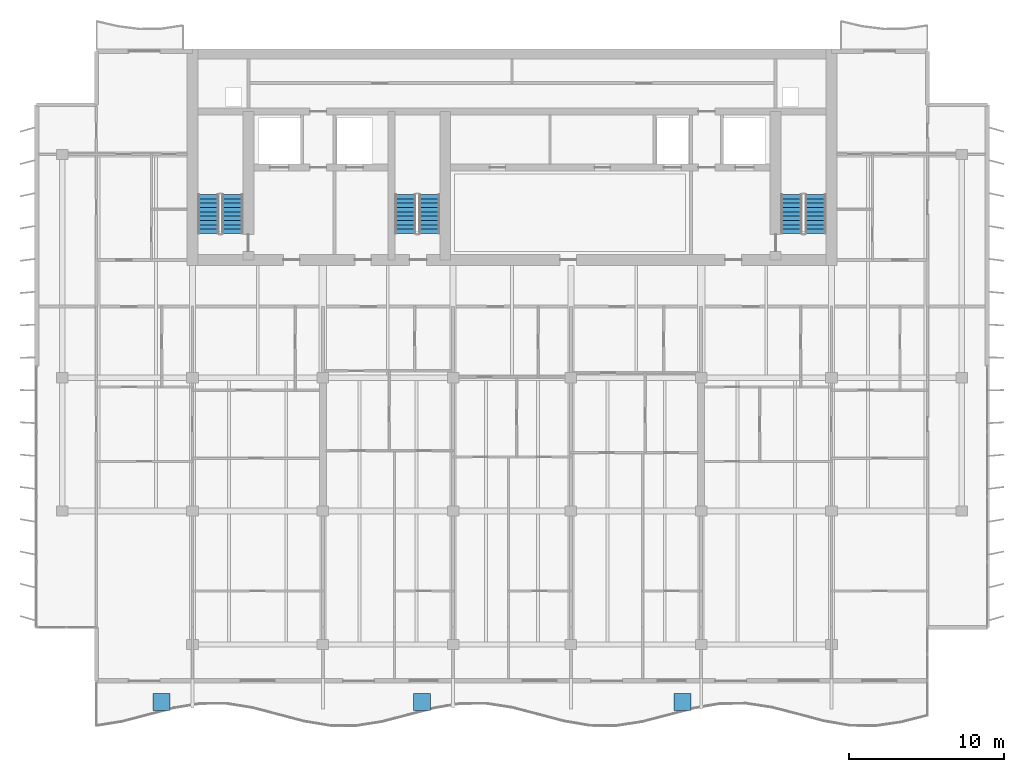
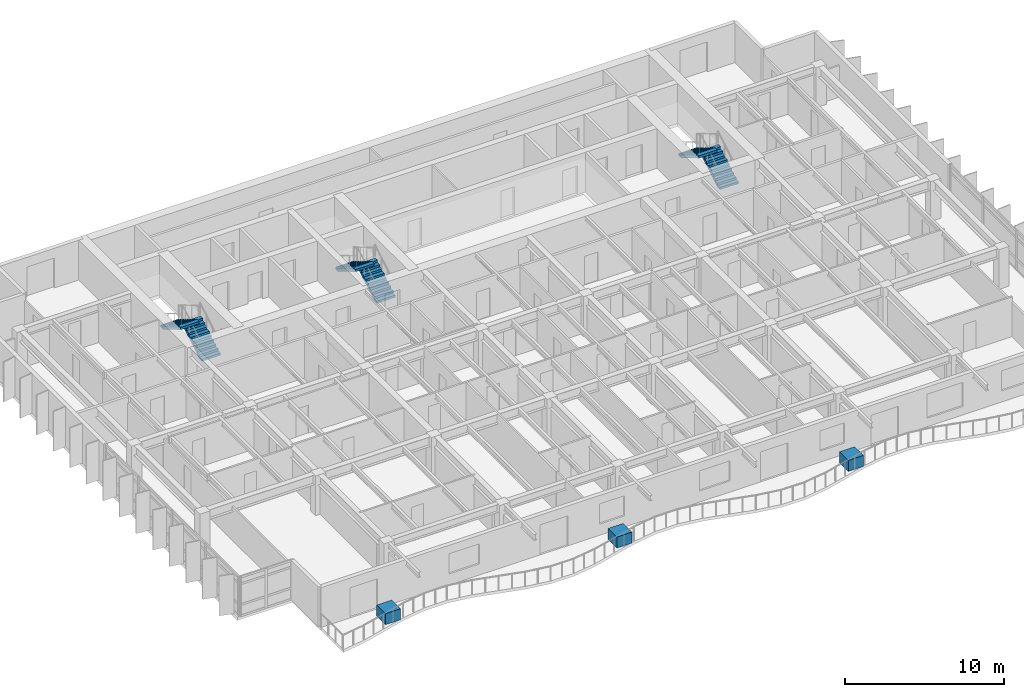
# One storey, part 11 of 17: 6 stair flights, 3 discrete accessories, 3 elements without a shape of their own.
"""IFC4 building model written with IfcOpenShell, lengths in metres."""

from ifc_helpers import new_model, si_unit, direction, frame, origin, origin_2d, place, context, subcontext, project, spatial, polyline, rectangle, outline, extrude, material, type_object, element, aggregate, save


model = new_model("IFC4")

# Units and contexts
model_context = context("Model", 3, precision=1e-05, world=origin(), true_north=direction((0.0, 1.0)))
body_context = subcontext(model_context, "Body", "Model", "MODEL_VIEW")
ifc_project = project(units=[si_unit("LENGTHUNIT", "METRE"), si_unit("AREAUNIT", "SQUARE_METRE"), si_unit("VOLUMEUNIT", "CUBIC_METRE"), si_unit("PLANEANGLEUNIT", "RADIAN"), si_unit("MASSUNIT", "GRAM", prefix="KILO")], contexts=[model_context])

# Site, building, storey
site_placement = place(None, origin())
site = spatial("IfcSite", under=ifc_project, at=site_placement, CompositionType="ELEMENT")
building_placement = place(site_placement, origin())
building = spatial("IfcBuilding", under=site, at=building_placement, Name="Caelmar Bay Residences", CompositionType="ELEMENT")
storey_placement = place(building_placement, frame((0.0, 0.0, 236.39990234375)))
storey = spatial("IfcBuildingStorey", under=building, at=storey_placement, Name="L66", CompositionType="ELEMENT", Elevation=236.39990234375)

# Stair, stair flights
ifc_material_1 = material(Name="Concrete f'c 40 MPa (6,000 psi)", Category="concrete")
stair_type = type_object("IfcStairType", Name="ST-TYP-165", PredefinedType="HALF_TURN_STAIR", material=ifc_material_1)
stair_1_placement = place(storey_placement, origin())
stair_1 = element("IfcStair", 1, at=stair_1_placement, inside=storey, type_object=stair_type, Name="L66 West Smokeproof Exit Stair ST1", PredefinedType="HALF_TURN_STAIR")
stair_flight_type = type_object("IfcStairFlightType", Name="STF-1350", PredefinedType="STRAIGHT", material=ifc_material_1)
stair_flight_1_placement = place(storey_placement, frame((20.875, 38.699951171875, 0.0), z_axis=(0.0, 0.0, 1.0), x_axis=(0.0, 1.0, 0.0)))
stair_flight_1 = element("IfcStairFlight", 2, at=stair_flight_1_placement, type_object=stair_flight_type, Name="ST1 flight 1", NumberOfRisers=10, NumberOfTreads=9, PredefinedType="STRAIGHT", RiserHeight=0.165, TreadLength=0.28, context=body_context, shape_type="SweptSolid", body=[
    extrude(outline(polyline([(0.0, 0.0), (0.0, 0.1650390625), (0.280029296875, 0.1650390625), (0.280029296875, 0.330078125), (0.56005859375, 0.330078125), (0.56005859375, 0.4951171875), (0.840087890625, 0.4951171875), (0.840087890625, 0.659912109375), (1.1201171875, 0.659912109375), (1.1201171875, 0.824951171875), (1.39990234375, 0.824951171875), (1.39990234375, 0.989990234375), (1.679931640625, 0.989990234375), (1.679931640625, 1.155029296875), (1.9599609375, 1.155029296875), (1.9599609375, 1.320068359375), (2.239990234375, 1.320068359375), (2.239990234375, 1.485107421875), (2.52001953125, 1.485107421875), (2.52001953125, 1.64990234375), (2.52001953125, 1.31103515625), (0.295166015625, 0.0), (0.0, 0.0)])), frame((0.0, 0.675048828125, 0.0), z_axis=(0.0, -1.0, 0.0), x_axis=(1.0, 0.0, 0.0)), (0.0, 0.0, 1.0), 1.35009765625),
])
stair_flight_2_placement = place(storey_placement, frame((19.324951171875, 41.219970703125, 1.650146484375), z_axis=(0.0, 0.0, 1.0), x_axis=(0.0, -1.0, 0.0)))
stair_flight_2 = element("IfcStairFlight", 3, at=stair_flight_2_placement, type_object=stair_flight_type, Name="ST1 flight 2", NumberOfRisers=10, NumberOfTreads=9, PredefinedType="STRAIGHT", RiserHeight=0.165, TreadLength=0.28, context=body_context, shape_type="SweptSolid", body=[
    extrude(outline(polyline([(0.0, 0.0), (0.0, 0.1650390625), (0.280029296875, 0.1650390625), (0.280029296875, 0.330078125), (0.56005859375, 0.330078125), (0.56005859375, 0.4951171875), (0.840087890625, 0.4951171875), (0.840087890625, 0.659912109375), (1.1201171875, 0.659912109375), (1.1201171875, 0.824951171875), (1.39990234375, 0.824951171875), (1.39990234375, 0.989990234375), (1.679931640625, 0.989990234375), (1.679931640625, 1.155029296875), (1.9599609375, 1.155029296875), (1.9599609375, 1.320068359375), (2.239990234375, 1.320068359375), (2.239990234375, 1.485107421875), (2.52001953125, 1.485107421875), (2.52001953125, 1.64990234375), (2.52001953125, 1.31103515625), (0.295166015625, 0.0), (0.0, 0.0)])), frame((0.0, 0.675048828125, 0.0), z_axis=(0.0, -1.0, 0.0), x_axis=(1.0, 0.0, 0.0)), (0.0, 0.0, 1.0), 1.35009765625),
])
aggregate(stair_1, [stair_flight_1, stair_flight_2])

stair_2_placement = place(storey_placement, origin())
stair_2 = element("IfcStair", 4, at=stair_2_placement, inside=storey, type_object=stair_type, Name="L66 East Smokeproof Exit Stair ST2", PredefinedType="HALF_TURN_STAIR")
stair_flight_3_placement = place(storey_placement, frame((58.47509765625, 38.699951171875, 0.0), z_axis=(0.0, 0.0, 1.0), x_axis=(0.0, 1.0, 0.0)))
stair_flight_3 = element("IfcStairFlight", 5, at=stair_flight_3_placement, type_object=stair_flight_type, Name="ST2 flight 1", NumberOfRisers=10, NumberOfTreads=9, PredefinedType="STRAIGHT", RiserHeight=0.165, TreadLength=0.28, context=body_context, shape_type="SweptSolid", body=[
    extrude(outline(polyline([(0.0, 0.0), (0.0, 0.1650390625), (0.280029296875, 0.1650390625), (0.280029296875, 0.330078125), (0.56005859375, 0.330078125), (0.56005859375, 0.4951171875), (0.840087890625, 0.4951171875), (0.840087890625, 0.659912109375), (1.1201171875, 0.659912109375), (1.1201171875, 0.824951171875), (1.39990234375, 0.824951171875), (1.39990234375, 0.989990234375), (1.679931640625, 0.989990234375), (1.679931640625, 1.155029296875), (1.9599609375, 1.155029296875), (1.9599609375, 1.320068359375), (2.239990234375, 1.320068359375), (2.239990234375, 1.485107421875), (2.52001953125, 1.485107421875), (2.52001953125, 1.64990234375), (2.52001953125, 1.31103515625), (0.295166015625, 0.0), (0.0, 0.0)])), frame((0.0, 0.675048828125, 0.0), z_axis=(0.0, -1.0, 0.0), x_axis=(1.0, 0.0, 0.0)), (0.0, 0.0, 1.0), 1.35009765625),
])
stair_flight_4_placement = place(storey_placement, frame((56.925048828125, 41.219970703125, 1.650146484375), z_axis=(0.0, 0.0, 1.0), x_axis=(0.0, -1.0, 0.0)))
stair_flight_4 = element("IfcStairFlight", 6, at=stair_flight_4_placement, type_object=stair_flight_type, Name="ST2 flight 2", NumberOfRisers=10, NumberOfTreads=9, PredefinedType="STRAIGHT", RiserHeight=0.165, TreadLength=0.28, context=body_context, shape_type="SweptSolid", body=[
    extrude(outline(polyline([(0.0, 0.0), (0.0, 0.1650390625), (0.280029296875, 0.1650390625), (0.280029296875, 0.330078125), (0.56005859375, 0.330078125), (0.56005859375, 0.4951171875), (0.840087890625, 0.4951171875), (0.840087890625, 0.659912109375), (1.1201171875, 0.659912109375), (1.1201171875, 0.824951171875), (1.39990234375, 0.824951171875), (1.39990234375, 0.989990234375), (1.679931640625, 0.989990234375), (1.679931640625, 1.155029296875), (1.9599609375, 1.155029296875), (1.9599609375, 1.320068359375), (2.239990234375, 1.320068359375), (2.239990234375, 1.485107421875), (2.52001953125, 1.485107421875), (2.52001953125, 1.64990234375), (2.52001953125, 1.31103515625), (0.295166015625, 0.0), (0.0, 0.0)])), frame((0.0, 0.675048828125, 0.0), z_axis=(0.0, -1.0, 0.0), x_axis=(1.0, 0.0, 0.0)), (0.0, 0.0, 1.0), 1.35009765625),
])
aggregate(stair_2, [stair_flight_3, stair_flight_4])

stair_3_placement = place(storey_placement, origin())
stair_3 = element("IfcStair", 7, at=stair_3_placement, inside=storey, type_object=stair_type, Name="L66 Central Smokeproof Exit Stair ST3", PredefinedType="HALF_TURN_STAIR")
stair_flight_5_placement = place(storey_placement, frame((33.574951171875, 38.699951171875, 0.0), z_axis=(0.0, 0.0, 1.0), x_axis=(0.0, 1.0, 0.0)))
stair_flight_5 = element("IfcStairFlight", 8, at=stair_flight_5_placement, type_object=stair_flight_type, Name="ST3 flight 1", NumberOfRisers=10, NumberOfTreads=9, PredefinedType="STRAIGHT", RiserHeight=0.165, TreadLength=0.28, context=body_context, shape_type="SweptSolid", body=[
    extrude(outline(polyline([(0.0, 0.0), (0.0, 0.1650390625), (0.280029296875, 0.1650390625), (0.280029296875, 0.330078125), (0.56005859375, 0.330078125), (0.56005859375, 0.4951171875), (0.840087890625, 0.4951171875), (0.840087890625, 0.659912109375), (1.1201171875, 0.659912109375), (1.1201171875, 0.824951171875), (1.39990234375, 0.824951171875), (1.39990234375, 0.989990234375), (1.679931640625, 0.989990234375), (1.679931640625, 1.155029296875), (1.9599609375, 1.155029296875), (1.9599609375, 1.320068359375), (2.239990234375, 1.320068359375), (2.239990234375, 1.485107421875), (2.52001953125, 1.485107421875), (2.52001953125, 1.64990234375), (2.52001953125, 1.31103515625), (0.295166015625, 0.0), (0.0, 0.0)])), frame((0.0, 0.675048828125, 0.0), z_axis=(0.0, -1.0, 0.0), x_axis=(1.0, 0.0, 0.0)), (0.0, 0.0, 1.0), 1.35009765625),
])
stair_flight_6_placement = place(storey_placement, frame((32.02490234375, 41.219970703125, 1.650146484375), z_axis=(0.0, 0.0, 1.0), x_axis=(0.0, -1.0, 0.0)))
stair_flight_6 = element("IfcStairFlight", 9, at=stair_flight_6_placement, type_object=stair_flight_type, Name="ST3 flight 2", NumberOfRisers=10, NumberOfTreads=9, PredefinedType="STRAIGHT", RiserHeight=0.165, TreadLength=0.28, context=body_context, shape_type="SweptSolid", body=[
    extrude(outline(polyline([(0.0, 0.0), (0.0, 0.1650390625), (0.280029296875, 0.1650390625), (0.280029296875, 0.330078125), (0.56005859375, 0.330078125), (0.56005859375, 0.4951171875), (0.840087890625, 0.4951171875), (0.840087890625, 0.659912109375), (1.1201171875, 0.659912109375), (1.1201171875, 0.824951171875), (1.39990234375, 0.824951171875), (1.39990234375, 0.989990234375), (1.679931640625, 0.989990234375), (1.679931640625, 1.155029296875), (1.9599609375, 1.155029296875), (1.9599609375, 1.320068359375), (2.239990234375, 1.320068359375), (2.239990234375, 1.485107421875), (2.52001953125, 1.485107421875), (2.52001953125, 1.64990234375), (2.52001953125, 1.31103515625), (0.295166015625, 0.0), (0.0, 0.0)])), frame((0.0, 0.675048828125, 0.0), z_axis=(0.0, -1.0, 0.0), x_axis=(1.0, 0.0, 0.0)), (0.0, 0.0, 1.0), 1.35009765625),
])
aggregate(stair_3, [stair_flight_5, stair_flight_6])

# Discrete accessories
ifc_material_2 = material(Name="Architectural bronze GRC planter trough with volcanic-lapilli substrate")
discrete_accessory_type = type_object("IfcDiscreteAccessoryType", Name="ACC-PLANTER-1100", PredefinedType="USERDEFINED", material=ifc_material_2)
for number, where, z_axis, x_axis, name in (
    (10, (16.300048828125, 8.481689453125, 0.0), (0.0, 0.0, 1.0), (1.0, 0.0, 0.0), "L66 Balcony Structural Tree Planter 1"),
    (11, (33.10009765625, 8.481689453125, 0.0), (0.0, 0.0, 1.0), (1.0, 0.0, 0.0), "L66 Balcony Structural Tree Planter 2"),
    (12, (49.89990234375, 8.481689453125, 0.0), (0.0, 0.0, 1.0), (1.0, 0.0, 0.0), "L66 Balcony Structural Tree Planter 3"),
):
    element("IfcDiscreteAccessory", number, at=place(storey_placement, frame(where, z_axis=z_axis, x_axis=x_axis)), inside=storey, type_object=discrete_accessory_type, Name=name, ObjectType="PLANTER", PredefinedType="USERDEFINED", context=body_context, shape_type="SweptSolid", body=[
        extrude(rectangle(XDim=1.10009765625, YDim=1.10009765625, at=origin_2d()), origin(), (0.0, 0.0, 1.0), 0.85009765625),
    ])

save(model, "model.ifc")
